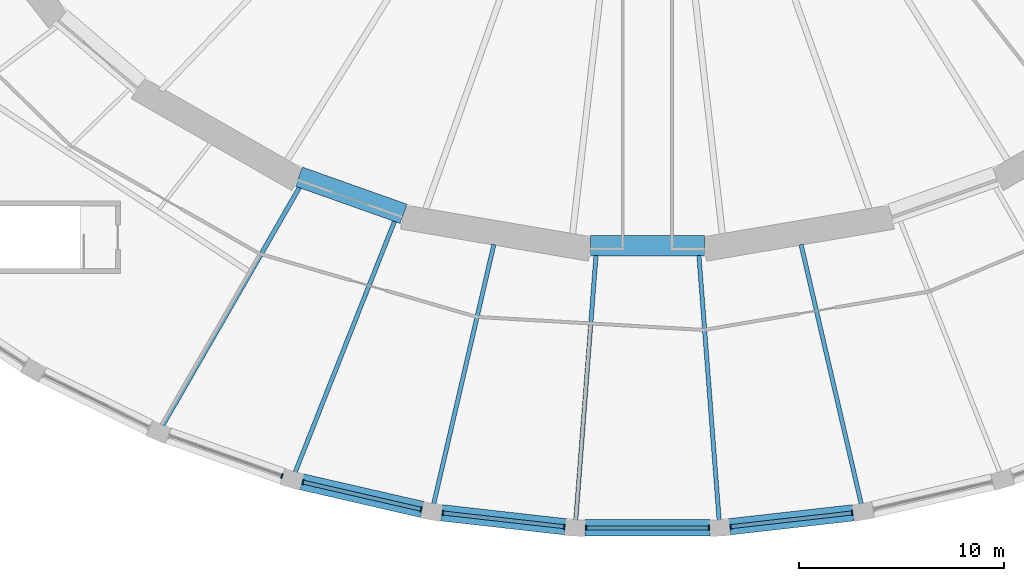
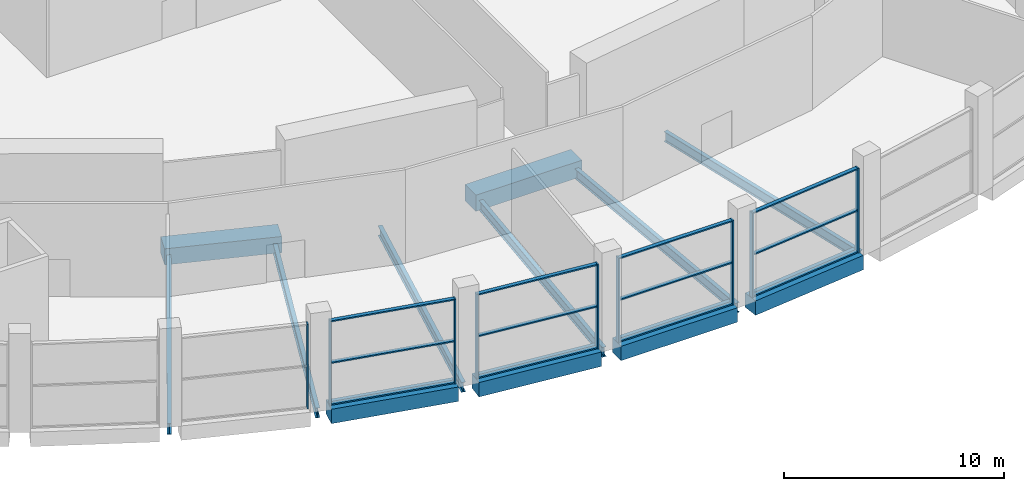
# One storey, part 3 of 26: 21 members, 12 beams, 5 elements without a shape of their own.
"""IFC4 building model written with IfcOpenShell, lengths in metres."""

import ifcopenshell
import ifcopenshell.guid

model = None  # the IFC model being written
_history = None  # IfcOwnerHistory: only IFC2X3 demands one
_inside = {}  # id of a spatial element -> (the spatial element, [elements in it])
_under = {}  # id of a project, library or spatial element -> (it, [spatial elements below it])
_declared = {}  # id of a project -> (the project, [libraries it declares])
_typed = {}  # id of a type object -> (the type object, [elements of that type])
_made_of = {}  # id of a material, layer set ... -> (it, [elements and type objects made of it])


def new_model(schema):
    """Start an empty IFC model of exactly this schema.

    Asked for "IFC4X3", IfcOpenShell would pick the latest addendum, in which some entities
    have other attributes; the version numbers below select the first issue.
    IFC2X3 requires an IfcOwnerHistory on every rooted entity: one is made here for all.
    """
    global model, _history
    if schema == "IFC4X3":
        model = ifcopenshell.file(schema_version=(4, 3, 0, 0))
    else:
        model = ifcopenshell.file(schema=schema)
    _inside.clear()
    _under.clear()
    _declared.clear()
    _typed.clear()
    _made_of.clear()
    _history = None
    if model.schema == "IFC2X3":
        org = make("IfcOrganization", Name="unknown")
        user = make(
            "IfcPersonAndOrganization",
            ThePerson=make("IfcPerson", FamilyName="unknown"),
            TheOrganization=org,
        )
        app = make(
            "IfcApplication",
            ApplicationDeveloper=org,
            Version="unknown",
            ApplicationFullName="unknown",
            ApplicationIdentifier="unknown",
        )
        _history = make(
            "IfcOwnerHistory",
            OwningUser=user,
            OwningApplication=app,
            ChangeAction="ADDED",
            CreationDate=0,
        )
    return model


def make(cls, **values):
    """One entity of the class cls with the attributes given. An attribute that is None is left unset."""
    return model.create_entity(
        cls, **{name: value for name, value in values.items() if value is not None}
    )


def rooted(cls, **values):
    """An entity with a GlobalId (a new one), such as an element, a storey or a relation."""
    return make(cls, GlobalId=ifcopenshell.guid.new(), OwnerHistory=_history, **values)


def si_unit(unit_type, name, prefix=None):
    """IfcSIUnit, for example si_unit("LENGTHUNIT", "METRE", prefix="MILLI")."""
    return make("IfcSIUnit", UnitType=unit_type, Prefix=prefix, Name=name)


def assignment(units):
    """IfcUnitAssignment: the units of a project."""
    return None if units is None else make("IfcUnitAssignment", Units=units)


def point(xyz):
    """IfcCartesianPoint."""
    return None if xyz is None else make("IfcCartesianPoint", Coordinates=xyz)


def direction(xyz):
    """IfcDirection."""
    return None if xyz is None else make("IfcDirection", DirectionRatios=xyz)


def frame(location, z_axis=None, x_axis=None):
    """IfcAxis2Placement3D, a coordinate frame: its origin and axes. An axis left out is left unset."""
    return make(
        "IfcAxis2Placement3D",
        Location=point(location),
        Axis=direction(z_axis),
        RefDirection=direction(x_axis),
    )


def frame_2d(location, x_axis=None):
    """IfcAxis2Placement2D, a coordinate frame in the plane: its origin and x axis."""
    return make(
        "IfcAxis2Placement2D", Location=point(location), RefDirection=direction(x_axis)
    )


def origin():
    """The frame at (0, 0, 0) with its axes left unset."""
    return frame((0.0, 0.0, 0.0))


def origin_2d():
    """The frame at (0, 0) in the plane with its x axis left unset."""
    return frame_2d((0.0, 0.0))


def place(relative_to, where):
    """IfcLocalPlacement: puts the frame where relative to a parent placement (None: the world)."""
    return make(
        "IfcLocalPlacement", PlacementRelTo=relative_to, RelativePlacement=where
    )


def context(
    kind, dimensions, precision=None, world=None, true_north=None, identifier=None
):
    """IfcGeometricRepresentationContext, for example the 3D "Model" context."""
    return make(
        "IfcGeometricRepresentationContext",
        ContextIdentifier=identifier,
        ContextType=kind,
        CoordinateSpaceDimension=dimensions,
        Precision=precision,
        WorldCoordinateSystem=world,
        TrueNorth=true_north,
    )


def subcontext(parent, identifier, kind, view, scale=None):
    """IfcGeometricRepresentationSubContext, for example "Body" below "Model"."""
    return make(
        "IfcGeometricRepresentationSubContext",
        ContextIdentifier=identifier,
        ContextType=kind,
        ParentContext=parent,
        TargetScale=scale,
        TargetView=view,
    )


def project(units=None, contexts=None):
    """IfcProject with its units and contexts."""
    return rooted(
        "IfcProject",
        Name="project",
        RepresentationContexts=contexts,
        UnitsInContext=assignment(units),
    )


def spatial(cls, under=None, at=None, **own):
    """A site, building, storey or space (cls), placed at a placement, below another one or the project."""
    s = rooted(cls, ObjectPlacement=at, **own)
    if under is not None:
        _under.setdefault(under.id(), (under, []))[1].append(s)
    return s


def profile(cls, at=None, kind="AREA", **sizes):
    """A parametric profile (cls). Its sizes go by their IFC names, for example OverallWidth=200.0."""
    return make(cls, ProfileType=kind, Position=at, **sizes)


def rectangle(**sizes):
    """IfcRectangleProfileDef."""
    return profile("IfcRectangleProfileDef", **sizes)


def i_section(**sizes):
    """IfcIShapeProfileDef."""
    return profile("IfcIShapeProfileDef", **sizes)


def extrude(swept, where, along, depth):
    """IfcExtrudedAreaSolid: the profile swept, set in the frame where, extruded along a direction by depth."""
    return make(
        "IfcExtrudedAreaSolid",
        SweptArea=swept,
        Position=where,
        ExtrudedDirection=direction(along),
        Depth=depth,
    )


def shape(context_of_items, identifier, shape_type, items):
    """IfcShapeRepresentation: the items that make up one representation, for example the "Body"."""
    return make(
        "IfcShapeRepresentation",
        ContextOfItems=context_of_items,
        RepresentationIdentifier=identifier,
        RepresentationType=shape_type,
        Items=items,
    )


def material(Name=None, Category=None):
    """IfcMaterial."""
    return make("IfcMaterial", Name=Name, Category=Category)


def material_profile(
    of_material, cross_section, Name=None, Category=None, Priority=None
):
    """IfcMaterialProfile: a cross section and its material."""
    return make(
        "IfcMaterialProfile",
        Name=Name,
        Material=of_material,
        Profile=cross_section,
        Priority=Priority,
        Category=Category,
    )


def profile_set(profiles, Name=None, composite=None):
    """IfcMaterialProfileSet."""
    return make(
        "IfcMaterialProfileSet",
        Name=Name,
        MaterialProfiles=profiles,
        CompositeProfile=composite,
    )


def made_of(thing, what):
    """Note that an element or type object is made of a material, layer set ...; save() writes the relation."""
    if what is not None:
        _made_of.setdefault(what.id(), (what, []))[1].append(thing)
    return thing


def type_object(cls, material=None, **own):
    """A type object (cls), such as IfcWallType, which elements share."""
    return made_of(rooted(cls, **own), material)


def element(
    cls,
    number,
    at=None,
    inside=None,
    cuts=None,
    type_object=None,
    material=None,
    context=None,
    identifier="Body",
    shape_type=None,
    held_by="IfcProductDefinitionShape",
    body=None,
    shapes=None,
    **own,
):
    """One element of the class cls, such as IfcWall. Its Tag is "e" and its number.

    at: its placement. inside: the storey or other place that contains it. cuts: it is an
    opening in that element (IfcRelVoidsElement). A single representation is given by context,
    identifier, shape_type and body (its items); several are given by shapes. held_by: the class
    of the entity that holds the representations. save() writes the other relations.
    """
    e = rooted(cls, Tag="e%d" % number, ObjectPlacement=at, **own)
    if body is not None:
        shapes = [shape(context, identifier, shape_type, body)]
    if shapes is not None:
        e.Representation = make(held_by, Representations=shapes)
    if inside is not None:
        _inside.setdefault(inside.id(), (inside, []))[1].append(e)
    if cuts is not None:
        rooted(
            "IfcRelVoidsElement", RelatingBuildingElement=cuts, RelatedOpeningElement=e
        )
    if type_object is not None:
        _typed.setdefault(type_object.id(), (type_object, []))[1].append(e)
    return made_of(e, material)


def aggregate(whole, parts):
    """IfcRelAggregates: a whole, such as a stair, and the parts it consists of."""
    return rooted("IfcRelAggregates", RelatingObject=whole, RelatedObjects=parts)


def save(model, path):
    """Write the relations noted so far, then the file.

    IfcRelAggregates (storeys below a building ...), IfcRelContainedInSpatialStructure (elements
    in a storey), IfcRelDefinesByType, IfcRelAssociatesMaterial and IfcRelDeclares: one each for
    every whole, place, type object, material and project.
    """
    for whole, parts in _under.values():
        aggregate(whole, parts)
    for where, things in _inside.values():
        rooted(
            "IfcRelContainedInSpatialStructure",
            RelatedElements=things,
            RelatingStructure=where,
        )
    for kind, things in _typed.values():
        rooted("IfcRelDefinesByType", RelatedObjects=things, RelatingType=kind)
    for what, things in _made_of.values():
        rooted("IfcRelAssociatesMaterial", RelatedObjects=things, RelatingMaterial=what)
    for by, libraries in _declared.values():
        rooted("IfcRelDeclares", RelatingContext=by, RelatedDefinitions=libraries)
    model.write(path)


model = new_model("IFC4")

# Units and contexts
model_context = context("Model", 3, precision=1e-05, world=origin(), true_north=direction((0.0, 1.0)))
body_context = subcontext(model_context, "Body", "Model", "MODEL_VIEW")
ifc_project = project(units=[si_unit("LENGTHUNIT", "METRE"), si_unit("AREAUNIT", "SQUARE_METRE"), si_unit("VOLUMEUNIT", "CUBIC_METRE"), si_unit("PLANEANGLEUNIT", "RADIAN"), si_unit("MASSUNIT", "GRAM", prefix="KILO")], contexts=[model_context])

# Site, building, storey
site_placement = place(None, origin())
site = spatial("IfcSite", under=ifc_project, at=site_placement, CompositionType="ELEMENT")
building_placement = place(site_placement, origin())
building = spatial("IfcBuilding", under=site, at=building_placement, Name="Halqa Exchange Tower", CompositionType="ELEMENT")
storey_placement = place(building_placement, frame((0.0, 0.0, 18.0)))
storey = spatial("IfcBuildingStorey", under=building, at=storey_placement, Name="L03", CompositionType="ELEMENT", Elevation=18.0)

# Curtain wall, member
ifc_material_1 = material(Name="Anodised aluminium and clear glass", Category="aluminium")
curtain_wall_type = type_object("IfcCurtainWallType", Name="Exchange hall glazing", PredefinedType="NOTDEFINED", material=ifc_material_1)
curtain_wall_1_placement = place(storey_placement, origin())
curtain_wall_1 = element("IfcCurtainWall", 1, at=curtain_wall_1_placement, inside=storey, type_object=curtain_wall_type, Name="Exchange hall glazing run P33", PredefinedType="NOTDEFINED")
ifc_material_2 = material(Name="Anodised aluminium", Category="aluminium")
ifc_material_profile_1 = material_profile(ifc_material_2, rectangle(XDim=0.25, YDim=0.070068359375, at=origin_2d()), Name="AL 70x250")
ifc_profile_set_1 = profile_set([ifc_material_profile_1], Name="Anodised aluminium")
member_type_1 = type_object("IfcMemberType", Name="Exchange hall glazing mullion 70 x 250", PredefinedType="MULLION", material=ifc_profile_set_1)
member_1_placement = place(storey_placement, frame((-17.86181640625, -43.663818359375, 0.0), z_axis=(0.0, 0.0, 1.0), x_axis=(0.334688348326, 0.942328875444, 0.0)))
member_1 = element("IfcMember", 2, at=member_1_placement, type_object=member_type_1, Name="P33 mullion 2", PredefinedType="MULLION", context=body_context, shape_type="SweptSolid", body=[
    extrude(rectangle(XDim=0.25, YDim=0.070068359375, at=origin_2d()), origin(), (0.0, 0.0, 1.0), 4.699951171875),
])
aggregate(curtain_wall_1, [member_1])

# Curtain wall, members
curtain_wall_2_placement = place(storey_placement, origin())
curtain_wall_2 = element("IfcCurtainWall", 3, at=curtain_wall_2_placement, inside=storey, type_object=curtain_wall_type, Name="Exchange hall glazing run P34", PredefinedType="NOTDEFINED")
member_2_placement = place(storey_placement, frame((-16.836181640625, -43.962646484375, 0.0), z_axis=(0.0, 0.0, 1.0), x_axis=(0.223896655269, 0.974612891234, 0.0)))
member_2 = element("IfcMember", 4, at=member_2_placement, type_object=member_type_1, Name="P34 mullion 1", PredefinedType="MULLION", context=body_context, shape_type="SweptSolid", body=[
    extrude(rectangle(XDim=0.25, YDim=0.070068359375, at=origin_2d()), origin(), (0.0, 0.0, 1.0), 4.699951171875),
])
member_3_placement = place(storey_placement, frame((-11.056396484375, -45.29052734375, 0.0), z_axis=(0.0, 0.0, 1.0), x_axis=(0.223896655269, 0.974612891234, 0.0)))
member_3 = element("IfcMember", 5, at=member_3_placement, type_object=member_type_1, Name="P34 mullion 2", PredefinedType="MULLION", context=body_context, shape_type="SweptSolid", body=[
    extrude(rectangle(XDim=0.25, YDim=0.070068359375, at=origin_2d()), origin(), (0.0, 0.0, 1.0), 4.699951171875),
])

curtain_wall_3_placement = place(storey_placement, origin())
curtain_wall_3 = element("IfcCurtainWall", 6, at=curtain_wall_3_placement, inside=storey, type_object=curtain_wall_type, Name="Exchange hall glazing run P35", PredefinedType="NOTDEFINED")
member_4_placement = place(storey_placement, frame((-10.00341796875, -45.470458984375, 0.0), z_axis=(0.0, 0.0, 1.0), x_axis=(0.112159098874, 0.993690261872, 0.0)))
member_4 = element("IfcMember", 7, at=member_4_placement, type_object=member_type_1, Name="P35 mullion 1", PredefinedType="MULLION", context=body_context, shape_type="SweptSolid", body=[
    extrude(rectangle(XDim=0.25, YDim=0.070068359375, at=origin_2d()), origin(), (0.0, 0.0, 1.0), 4.699951171875),
])
member_5_placement = place(storey_placement, frame((-4.0634765625, -46.140869140625, 0.0), z_axis=(0.0, 0.0, 1.0), x_axis=(0.112159098874, 0.993690261872, 0.0)))
member_5 = element("IfcMember", 8, at=member_5_placement, type_object=member_type_1, Name="P35 mullion 2", PredefinedType="MULLION", context=body_context, shape_type="SweptSolid", body=[
    extrude(rectangle(XDim=0.25, YDim=0.070068359375, at=origin_2d()), origin(), (0.0, 0.0, 1.0), 4.699951171875),
])

curtain_wall_4_placement = place(storey_placement, origin())
curtain_wall_4 = element("IfcCurtainWall", 9, at=curtain_wall_4_placement, inside=storey, type_object=curtain_wall_type, Name="Exchange hall glazing run P36", PredefinedType="NOTDEFINED")
member_6_placement = place(storey_placement, frame((-2.996826171875, -46.200927734375, 0.0), z_axis=(0.0, 0.0, 1.0), x_axis=(0.0, 1.0, 0.0)))
member_6 = element("IfcMember", 10, at=member_6_placement, type_object=member_type_1, Name="P36 mullion 1", PredefinedType="MULLION", context=body_context, shape_type="SweptSolid", body=[
    extrude(rectangle(XDim=0.25, YDim=0.070068359375, at=origin_2d()), origin(), (0.0, 0.0, 1.0), 4.699951171875),
])
member_7_placement = place(storey_placement, frame((2.996826171875, -46.200927734375, 0.0), z_axis=(0.0, 0.0, 1.0), x_axis=(0.0, 1.0, 0.0)))
member_7 = element("IfcMember", 11, at=member_7_placement, type_object=member_type_1, Name="P36 mullion 2", PredefinedType="MULLION", context=body_context, shape_type="SweptSolid", body=[
    extrude(rectangle(XDim=0.25, YDim=0.070068359375, at=origin_2d()), origin(), (0.0, 0.0, 1.0), 4.699951171875),
])

curtain_wall_5_placement = place(storey_placement, origin())
curtain_wall_5 = element("IfcCurtainWall", 12, at=curtain_wall_5_placement, inside=storey, type_object=curtain_wall_type, Name="Exchange hall glazing run P37", PredefinedType="NOTDEFINED")
member_8_placement = place(storey_placement, frame((4.0634765625, -46.140869140625, 0.0), z_axis=(0.0, 0.0, 1.0), x_axis=(-0.112159098874, 0.993690261872, 0.0)))
member_8 = element("IfcMember", 13, at=member_8_placement, type_object=member_type_1, Name="P37 mullion 1", PredefinedType="MULLION", context=body_context, shape_type="SweptSolid", body=[
    extrude(rectangle(XDim=0.25, YDim=0.070068359375, at=origin_2d()), origin(), (0.0, 0.0, 1.0), 4.699951171875),
])
member_9_placement = place(storey_placement, frame((10.00341796875, -45.470458984375, 0.0), z_axis=(0.0, 0.0, 1.0), x_axis=(-0.112159098874, 0.993690261872, 0.0)))
member_9 = element("IfcMember", 14, at=member_9_placement, type_object=member_type_1, Name="P37 mullion 2", PredefinedType="MULLION", context=body_context, shape_type="SweptSolid", body=[
    extrude(rectangle(XDim=0.25, YDim=0.070068359375, at=origin_2d()), origin(), (0.0, 0.0, 1.0), 4.699951171875),
])

# Member
ifc_material_profile_2 = material_profile(ifc_material_2, rectangle(XDim=0.199951171875, YDim=0.070068359375, at=origin_2d()), Name="AL 70x200")
ifc_profile_set_2 = profile_set([ifc_material_profile_2], Name="Anodised aluminium")
member_type_2 = type_object("IfcMemberType", Name="Exchange hall glazing transom 70 x 200", PredefinedType="USERDEFINED", material=ifc_profile_set_2)
member_10_placement = place(storey_placement, frame((-16.80224609375, -43.970458984375, 0.034912109375), z_axis=(0.974610483498, -0.223907135784, 0.0), x_axis=(0.223907135784, 0.974610483498, 0.0)))
member_10 = element("IfcMember", 15, at=member_10_placement, type_object=member_type_2, Name="P34 transom 1.1", ObjectType="TRANSOM", PredefinedType="USERDEFINED", context=body_context, shape_type="SweptSolid", body=[
    extrude(rectangle(XDim=0.199951171875, YDim=0.070068359375, at=origin_2d()), origin(), (0.0, 0.0, 1.0), 5.860595703125),
])

member_11_placement = place(storey_placement, frame((-16.80224609375, -43.970458984375, 2.35009765625), z_axis=(0.974610483498, -0.223907135784, 0.0), x_axis=(0.223907135784, 0.974610483498, 0.0)))
member_11 = element("IfcMember", 16, at=member_11_placement, type_object=member_type_2, Name="P34 transom 1.2", ObjectType="TRANSOM", PredefinedType="USERDEFINED", context=body_context, shape_type="SweptSolid", body=[
    extrude(rectangle(XDim=0.199951171875, YDim=0.070068359375, at=origin_2d()), origin(), (0.0, 0.0, 1.0), 5.860595703125),
])

member_12_placement = place(storey_placement, frame((-16.80224609375, -43.970458984375, 4.6650390625), z_axis=(0.974610483498, -0.223907135784, 0.0), x_axis=(0.223907135784, 0.974610483498, 0.0)))
member_12 = element("IfcMember", 17, at=member_12_placement, type_object=member_type_2, Name="P34 transom 1.3", ObjectType="TRANSOM", PredefinedType="USERDEFINED", context=body_context, shape_type="SweptSolid", body=[
    extrude(rectangle(XDim=0.199951171875, YDim=0.070068359375, at=origin_2d()), origin(), (0.0, 0.0, 1.0), 5.860595703125),
])

aggregate(curtain_wall_2, [member_2, member_3, member_10, member_11, member_12])

member_13_placement = place(storey_placement, frame((-9.968505859375, -45.474365234375, 0.034912109375), z_axis=(0.993690216271, -0.112159502889, 0.0), x_axis=(0.112159502889, 0.993690216271, 0.0)))
member_13 = element("IfcMember", 18, at=member_13_placement, type_object=member_type_2, Name="P35 transom 1.1", ObjectType="TRANSOM", PredefinedType="USERDEFINED", context=body_context, shape_type="SweptSolid", body=[
    extrude(rectangle(XDim=0.199951171875, YDim=0.070068359375, at=origin_2d()), origin(), (0.0, 0.0, 1.0), 5.90771484375),
])

member_14_placement = place(storey_placement, frame((-9.968505859375, -45.474365234375, 2.35009765625), z_axis=(0.993690216271, -0.112159502889, 0.0), x_axis=(0.112159502889, 0.993690216271, 0.0)))
member_14 = element("IfcMember", 19, at=member_14_placement, type_object=member_type_2, Name="P35 transom 1.2", ObjectType="TRANSOM", PredefinedType="USERDEFINED", context=body_context, shape_type="SweptSolid", body=[
    extrude(rectangle(XDim=0.199951171875, YDim=0.070068359375, at=origin_2d()), origin(), (0.0, 0.0, 1.0), 5.90771484375),
])

member_15_placement = place(storey_placement, frame((-9.968505859375, -45.474365234375, 4.6650390625), z_axis=(0.993690216271, -0.112159502889, 0.0), x_axis=(0.112159502889, 0.993690216271, 0.0)))
member_15 = element("IfcMember", 20, at=member_15_placement, type_object=member_type_2, Name="P35 transom 1.3", ObjectType="TRANSOM", PredefinedType="USERDEFINED", context=body_context, shape_type="SweptSolid", body=[
    extrude(rectangle(XDim=0.199951171875, YDim=0.070068359375, at=origin_2d()), origin(), (0.0, 0.0, 1.0), 5.90771484375),
])

aggregate(curtain_wall_3, [member_4, member_5, member_13, member_14, member_15])

member_16_placement = place(storey_placement, frame((-2.9619140625, -46.200927734375, 0.034912109375), z_axis=(1.0, 0.0, 0.0), x_axis=(0.0, 1.0, 0.0)))
member_16 = element("IfcMember", 21, at=member_16_placement, type_object=member_type_2, Name="P36 transom 1.1", ObjectType="TRANSOM", PredefinedType="USERDEFINED", context=body_context, shape_type="SweptSolid", body=[
    extrude(rectangle(XDim=0.199951171875, YDim=0.070068359375, at=origin_2d()), origin(), (0.0, 0.0, 1.0), 5.923828125),
])

member_17_placement = place(storey_placement, frame((-2.9619140625, -46.200927734375, 2.35009765625), z_axis=(1.0, 0.0, 0.0), x_axis=(0.0, 1.0, 0.0)))
member_17 = element("IfcMember", 22, at=member_17_placement, type_object=member_type_2, Name="P36 transom 1.2", ObjectType="TRANSOM", PredefinedType="USERDEFINED", context=body_context, shape_type="SweptSolid", body=[
    extrude(rectangle(XDim=0.199951171875, YDim=0.070068359375, at=origin_2d()), origin(), (0.0, 0.0, 1.0), 5.923828125),
])

member_18_placement = place(storey_placement, frame((-2.9619140625, -46.200927734375, 4.6650390625), z_axis=(1.0, 0.0, 0.0), x_axis=(0.0, 1.0, 0.0)))
member_18 = element("IfcMember", 23, at=member_18_placement, type_object=member_type_2, Name="P36 transom 1.3", ObjectType="TRANSOM", PredefinedType="USERDEFINED", context=body_context, shape_type="SweptSolid", body=[
    extrude(rectangle(XDim=0.199951171875, YDim=0.070068359375, at=origin_2d()), origin(), (0.0, 0.0, 1.0), 5.923828125),
])

aggregate(curtain_wall_4, [member_6, member_7, member_16, member_17, member_18])

member_19_placement = place(storey_placement, frame((4.09814453125, -46.136962890625, 0.034912109375), z_axis=(0.993690216271, 0.112159502889, 0.0), x_axis=(-0.112159502889, 0.993690216271, 0.0)))
member_19 = element("IfcMember", 24, at=member_19_placement, type_object=member_type_2, Name="P37 transom 1.1", ObjectType="TRANSOM", PredefinedType="USERDEFINED", context=body_context, shape_type="SweptSolid", body=[
    extrude(rectangle(XDim=0.199951171875, YDim=0.070068359375, at=origin_2d()), origin(), (0.0, 0.0, 1.0), 5.90771484375),
])

member_20_placement = place(storey_placement, frame((4.09814453125, -46.136962890625, 2.35009765625), z_axis=(0.993690216271, 0.112159502889, 0.0), x_axis=(-0.112159502889, 0.993690216271, 0.0)))
member_20 = element("IfcMember", 25, at=member_20_placement, type_object=member_type_2, Name="P37 transom 1.2", ObjectType="TRANSOM", PredefinedType="USERDEFINED", context=body_context, shape_type="SweptSolid", body=[
    extrude(rectangle(XDim=0.199951171875, YDim=0.070068359375, at=origin_2d()), origin(), (0.0, 0.0, 1.0), 5.90771484375),
])

member_21_placement = place(storey_placement, frame((4.09814453125, -46.136962890625, 4.6650390625), z_axis=(0.993690216271, 0.112159502889, 0.0), x_axis=(-0.112159502889, 0.993690216271, 0.0)))
member_21 = element("IfcMember", 26, at=member_21_placement, type_object=member_type_2, Name="P37 transom 1.3", ObjectType="TRANSOM", PredefinedType="USERDEFINED", context=body_context, shape_type="SweptSolid", body=[
    extrude(rectangle(XDim=0.199951171875, YDim=0.070068359375, at=origin_2d()), origin(), (0.0, 0.0, 1.0), 5.90771484375),
])

aggregate(curtain_wall_5, [member_8, member_9, member_19, member_20, member_21])

# Beams
ifc_material_3 = material(Name="Steel S355", Category="steel")
ifc_material_profile_3 = material_profile(ifc_material_3, i_section(OverallWidth=0.2099609375, OverallDepth=0.550048828125, WebThickness=0.010986328125, FlangeThickness=0.01708984375, FilletRadius=0.02392578125, at=origin_2d()), Name="IPE 550")
ifc_profile_set_3 = profile_set([ifc_material_profile_3], Name="Steel S355")
beam_type_1 = type_object("IfcBeamType", Name="Floor beam IPE 550", PredefinedType="BEAM", material=ifc_profile_set_3)
beam_1_placement = place(storey_placement, frame((-12.352294921875, -31.2001953125, -0.625), z_axis=(-0.368106640822, -0.929783577497, 0.0), x_axis=(0.929783577497, -0.368106640822, 0.0)))
element("IfcBeam", 27, at=beam_1_placement, inside=storey, type_object=beam_type_1, Name="Radial beam 34", PredefinedType="BEAM", context=body_context, shape_type="SweptSolid", body=[
    extrude(i_section(OverallWidth=0.2099609375, OverallDepth=0.550048828125, WebThickness=0.010986328125, FlangeThickness=0.01708984375, FilletRadius=0.02392578125, at=origin_2d()), origin(), (0.0, 0.0, 1.0), 13.22412109375),
])
beam_2_placement = place(storey_placement, frame((-7.5048828125, -32.35009765625, -0.625), z_axis=(-0.2259960959, -0.974128207495, 0.0), x_axis=(0.974128207495, -0.2259960959, 0.0)))
element("IfcBeam", 28, at=beam_2_placement, inside=storey, type_object=beam_type_1, Name="Radial beam 35", PredefinedType="BEAM", context=body_context, shape_type="SweptSolid", body=[
    extrude(i_section(OverallWidth=0.2099609375, OverallDepth=0.550048828125, WebThickness=0.010986328125, FlangeThickness=0.01708984375, FilletRadius=0.02392578125, at=origin_2d()), origin(), (0.0, 0.0, 1.0), 13.03466796875),
])
for number, where, z_axis, x_axis, name in (
    (29, (-2.513916015625, -32.88623046875, -0.625), (-0.076223337155, -0.997090769626, 0.0), (0.997090769626, -0.076223337155, 0.0), "Radial beam 36"),
    (30, (2.513916015625, -32.88623046875, -0.625), (0.076223337155, -0.997090769626, 0.0), (0.997090769626, 0.076223337155, 0.0), "Radial beam 37"),
):
    element("IfcBeam", number, at=place(storey_placement, frame(where, z_axis=z_axis, x_axis=x_axis)), inside=storey, type_object=beam_type_1, Name=name, PredefinedType="BEAM", context=body_context, shape_type="SweptSolid", body=[
        extrude(i_section(OverallWidth=0.2099609375, OverallDepth=0.550048828125, WebThickness=0.010986328125, FlangeThickness=0.01708984375, FilletRadius=0.02392578125, at=origin_2d()), origin(), (0.0, 0.0, 1.0), 12.981689453125),
    ])
beam_3_placement = place(storey_placement, frame((7.5048828125, -32.35009765625, -0.625), z_axis=(0.2259960959, -0.974128207495, 0.0), x_axis=(0.974128207495, 0.2259960959, 0.0)))
element("IfcBeam", 31, at=beam_3_placement, inside=storey, type_object=beam_type_1, Name="Radial beam 38", PredefinedType="BEAM", context=body_context, shape_type="SweptSolid", body=[
    extrude(i_section(OverallWidth=0.2099609375, OverallDepth=0.550048828125, WebThickness=0.010986328125, FlangeThickness=0.01708984375, FilletRadius=0.02392578125, at=origin_2d()), origin(), (0.0, 0.0, 1.0), 13.03466796875),
])
ifc_material_profile_4 = material_profile(ifc_material_3, i_section(OverallWidth=0.219970703125, OverallDepth=0.60009765625, WebThickness=0.011962890625, FlangeThickness=0.01904296875, FilletRadius=0.02392578125, at=origin_2d()), Name="IPE 600")
ifc_profile_set_4 = profile_set([ifc_material_profile_4], Name="Steel S355")
beam_type_2 = type_object("IfcBeamType", Name="Floor beam IPE 600", PredefinedType="BEAM", material=ifc_profile_set_4)
beam_4_placement = place(storey_placement, frame((-16.996826171875, -29.551513671875, -0.64990234375), z_axis=(-0.498570786865, -0.866848989435, 0.0), x_axis=(0.866848989435, -0.498570786865, 0.0)))
element("IfcBeam", 32, at=beam_4_placement, inside=storey, type_object=beam_type_2, Name="Radial beam 33", PredefinedType="BEAM", context=body_context, shape_type="SweptSolid", body=[
    extrude(i_section(OverallWidth=0.219970703125, OverallDepth=0.60009765625, WebThickness=0.011962890625, FlangeThickness=0.01904296875, FilletRadius=0.02392578125, at=origin_2d()), origin(), (0.0, 0.0, 1.0), 13.438720703125),
])
ifc_material_4 = material(Name="Concrete C60/75", Category="concrete")
ifc_material_profile_5 = material_profile(ifc_material_4, rectangle(XDim=0.800048828125, YDim=0.800048828125, at=origin_2d()), Name="800 x 800")
ifc_profile_set_5 = profile_set([ifc_material_profile_5], Name="Concrete C60/75")
beam_type_3 = type_object("IfcBeamType", Name="RC podium edge beam 800 x 800 C60/75", PredefinedType="SPANDREL", material=ifc_profile_set_5)
beam_5_placement = place(storey_placement, frame((-16.89794921875, -43.948486328125, -0.39990234375), z_axis=(0.974604133477, -0.223934774008, 0.0), x_axis=(0.223934774008, 0.974604133477, 0.0)))
element("IfcBeam", 33, at=beam_5_placement, inside=storey, type_object=beam_type_3, Name="Podium edge beam 34", PredefinedType="SPANDREL", context=body_context, shape_type="SweptSolid", body=[
    extrude(rectangle(XDim=0.800048828125, YDim=0.800048828125, at=origin_2d()), origin(), (0.0, 0.0, 1.0), 6.05517578125),
])
beam_6_placement = place(storey_placement, frame((-10.064453125, -45.46337890625, -0.39990234375), z_axis=(0.993688954696, -0.112170679393, 0.0), x_axis=(0.112170679393, 0.993688954696, 0.0)))
element("IfcBeam", 34, at=beam_6_placement, inside=storey, type_object=beam_type_3, Name="Podium edge beam 35", PredefinedType="SPANDREL", context=body_context, shape_type="SweptSolid", body=[
    extrude(rectangle(XDim=0.800048828125, YDim=0.800048828125, at=origin_2d()), origin(), (0.0, 0.0, 1.0), 6.100830078125),
])
beam_7_placement = place(storey_placement, frame((-3.05859375, -46.200927734375, -0.39990234375), z_axis=(1.0, 0.0, 0.0), x_axis=(0.0, 1.0, 0.0)))
element("IfcBeam", 35, at=beam_7_placement, inside=storey, type_object=beam_type_3, Name="Podium edge beam 36", PredefinedType="SPANDREL", context=body_context, shape_type="SweptSolid", body=[
    extrude(rectangle(XDim=0.800048828125, YDim=0.800048828125, at=origin_2d()), origin(), (0.0, 0.0, 1.0), 6.1171875),
])
beam_8_placement = place(storey_placement, frame((4.002197265625, -46.147705078125, -0.39990234375), z_axis=(0.993688954696, 0.112170679393, 0.0), x_axis=(-0.112170679393, 0.993688954696, 0.0)))
element("IfcBeam", 36, at=beam_8_placement, inside=storey, type_object=beam_type_3, Name="Podium edge beam 37", PredefinedType="SPANDREL", context=body_context, shape_type="SweptSolid", body=[
    extrude(rectangle(XDim=0.800048828125, YDim=0.800048828125, at=origin_2d()), origin(), (0.0, 0.0, 1.0), 6.100830078125),
])
ifc_material_profile_6 = material_profile(ifc_material_4, rectangle(XDim=1.0, YDim=0.89990234375, at=origin_2d()), Name="1000 x 900")
ifc_profile_set_6 = profile_set([ifc_material_profile_6], Name="Concrete C60/75")
beam_type_4 = type_object("IfcBeamType", Name="RC spandrel beam 1000 x 900 C60/75", PredefinedType="SPANDREL", material=ifc_profile_set_6)
beam_9_placement = place(storey_placement, frame((-17.030029296875, -29.038818359375, -0.449951171875), z_axis=(0.942357788657, -0.334606930826, 0.0), x_axis=(0.334606930826, 0.942357788657, 0.0)))
element("IfcBeam", 37, at=beam_9_placement, inside=storey, type_object=beam_type_4, Name="Spandrel 22", PredefinedType="SPANDREL", context=body_context, shape_type="SweptSolid", body=[
    extrude(rectangle(XDim=1.0, YDim=0.89990234375, at=origin_2d()), origin(), (0.0, 0.0, 1.0), 5.429931640625),
])
beam_10_placement = place(storey_placement, frame((-2.789794921875, -32.41455078125, -0.449951171875), z_axis=(1.0, 0.0, 0.0), x_axis=(0.0, 1.0, 0.0)))
element("IfcBeam", 38, at=beam_10_placement, inside=storey, type_object=beam_type_4, Name="Spandrel 24", PredefinedType="SPANDREL", context=body_context, shape_type="SweptSolid", body=[
    extrude(rectangle(XDim=1.0, YDim=0.89990234375, at=origin_2d()), origin(), (0.0, 0.0, 1.0), 5.57958984375),
])

save(model, "model.ifc")
